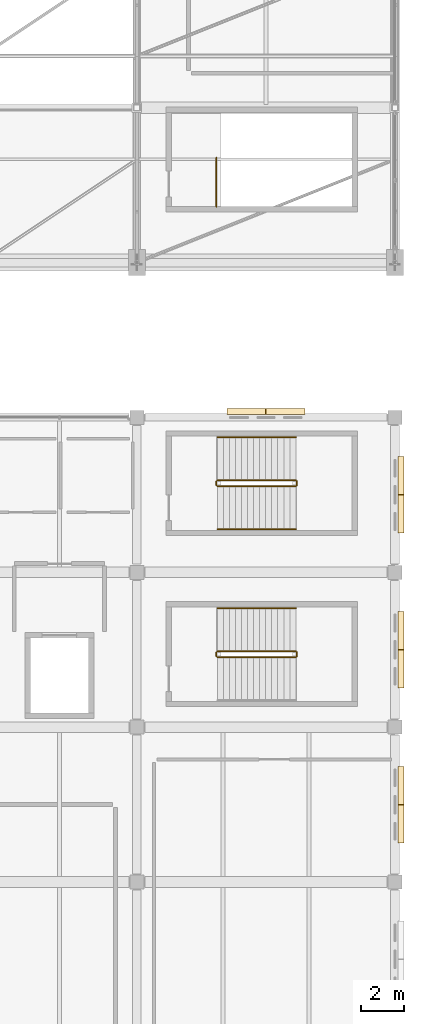
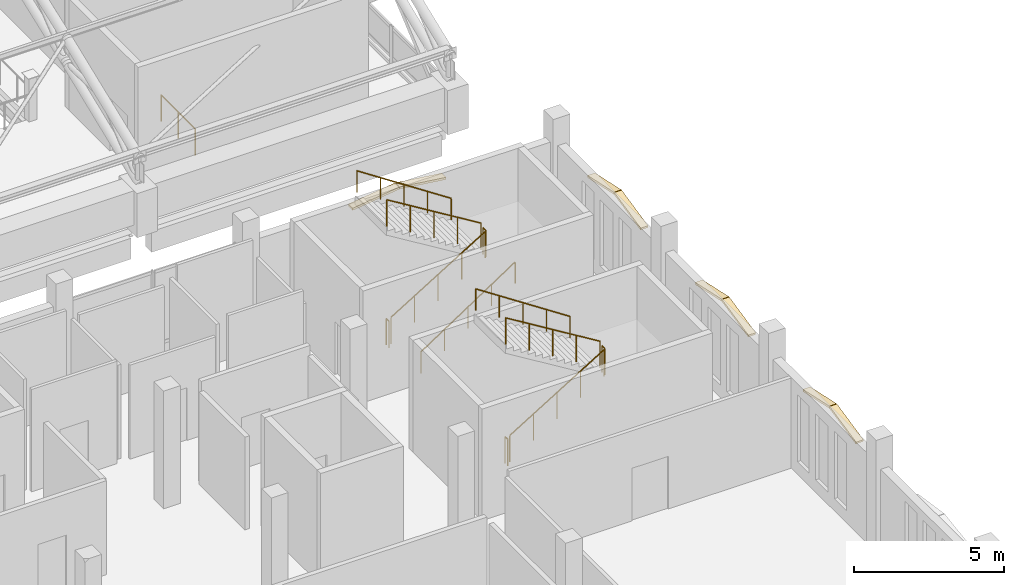
# One storey, part 114 of 116: 12 railings, 8 coverings.
"""IFC4 building model written with IfcOpenShell, lengths in metres."""

from ifc_helpers import new_model, si_unit, direction, frame, origin, origin_2d, place, context, subcontext, project, spatial, polyline, circle, outline, extrude, material, layer, layer_set, type_object, element, save


model = new_model("IFC4")

# Units and contexts
model_context = context("Model", 3, precision=1e-05, world=origin(), true_north=direction((0.0, 1.0)))
body_context = subcontext(model_context, "Body", "Model", "MODEL_VIEW")
ifc_project = project(units=[si_unit("LENGTHUNIT", "METRE"), si_unit("AREAUNIT", "SQUARE_METRE"), si_unit("VOLUMEUNIT", "CUBIC_METRE"), si_unit("PLANEANGLEUNIT", "RADIAN"), si_unit("MASSUNIT", "GRAM", prefix="KILO")], contexts=[model_context])

# Site, building, storey
site_placement = place(None, origin())
site = spatial("IfcSite", under=ifc_project, at=site_placement, CompositionType="ELEMENT")
building_placement = place(site_placement, origin())
building = spatial("IfcBuilding", under=site, at=building_placement, Name="Cendralis Lancet Convention Centre", CompositionType="ELEMENT")
storey_placement = place(building_placement, frame((0.0, 0.0, 15.0)))
storey = spatial("IfcBuildingStorey", under=building, at=storey_placement, Name="L03", CompositionType="ELEMENT", Elevation=15.0)

# Coverings
ifc_material_1 = material(Name="Warm buff sandstone chevron cassette", Category="masonry")
ifc_layer = layer(ifc_material_1, 0.06005859375, Name="Warm buff sandstone chevron cassette")
ifc_layer_set = layer_set([ifc_layer], Name="Warm buff sandstone chevron cassette")
covering_type = type_object("IfcCoveringType", Name="ARC-CV-CLAD1", PredefinedType="CLADDING", material=ifc_layer_set)
for number, where, z_axis, x_axis, name in (
    (1, (200.989990234375, 36.419921875, 3.52001953125), (-0.129379430985, 0.0, 0.991595160758), (0.0, -1.0, 0.0), "L03 Gothic Pointed Lancet Hood-Mould #0385L"),
    (2, (202.81005859375, 36.419921875, 3.7548828125), (0.129379430985, 0.0, 0.991595160758), (0.0, -1.0, 0.0), "L03 Gothic Pointed Lancet Hood-Mould #0386R"),
):
    element("IfcCovering", number, at=place(storey_placement, frame(where, z_axis=z_axis, x_axis=x_axis)), inside=storey, type_object=covering_type, Name=name, PredefinedType="CLADDING", context=body_context, shape_type="SweptSolid", body=[
        extrude(outline(polyline([(0.0, 0.0), (0.284912109375, 0.0), (0.284912109375, 1.815306184783631), (0.0, 1.815306184783631), (0.0, 0.0)])), origin(), (0.0, 0.0, -1.0), 0.090087890625),
    ])
for number, where, z_axis, x_axis, name in (
    (3, (209.219970703125, 19.780029296875, 3.27001953125), (0.0, 0.212547149042, 0.977150812021), (-1.0, 0.0, 0.0), "L03 Gothic Pointed Lancet Hood-Mould #0391L"),
    (4, (209.219970703125, 17.989990234375, 3.655029296875), (0.0, -0.212547149042, 0.977150812021), (-1.0, 0.0, 0.0), "L03 Gothic Pointed Lancet Hood-Mould #0392R"),
    (5, (209.219970703125, 26.97998046875, 3.27001953125), (0.0, 0.212547149042, 0.977150812021), (-1.0, 0.0, 0.0), "L03 Gothic Pointed Lancet Hood-Mould #0393L"),
    (6, (209.219970703125, 25.18994140625, 3.655029296875), (0.0, -0.212547149042, 0.977150812021), (-1.0, 0.0, 0.0), "L03 Gothic Pointed Lancet Hood-Mould #0394R"),
    (7, (209.219970703125, 34.179931640625, 3.27001953125), (0.0, 0.212547149042, 0.977150812021), (-1.0, 0.0, 0.0), "L03 Gothic Pointed Lancet Hood-Mould #0395L"),
):
    element("IfcCovering", number, at=place(storey_placement, frame(where, z_axis=z_axis, x_axis=x_axis)), inside=storey, type_object=covering_type, Name=name, PredefinedType="CLADDING", context=body_context, shape_type="SweptSolid", body=[
        extrude(outline(polyline([(0.0, 0.0), (0.284912109375, 0.0), (0.284912109375, 1.8114087502916307), (0.0, 1.8114087502916307), (0.0, 0.0)])), origin(), (0.0, 0.0, -1.0), 0.090087890625),
    ])
covering_placement = place(storey_placement, frame((209.219970703125, 32.389892578125, 3.655029296875), z_axis=(0.0, -0.212575145064, 0.977144721984), x_axis=(-1.0, 0.0, 0.0)))
element("IfcCovering", 8, at=covering_placement, inside=storey, type_object=covering_type, Name="L03 Gothic Pointed Lancet Hood-Mould #0396R", PredefinedType="CLADDING", context=body_context, shape_type="SweptSolid", body=[
    extrude(outline(polyline([(0.0, 0.0), (0.284912109375, 0.0), (0.284912109375, 1.811170188825028), (0.0, 1.811170188825028), (0.0, 0.0)])), origin(), (0.0, 0.0, -1.0), 0.090087890625),
])

# Railings
ifc_material_2 = material(Name="Steel S355", Category="steel")
railing_type_1 = type_object("IfcRailingType", Name="ARC-RL-CGD", PredefinedType="GUARDRAIL", material=ifc_material_2)
railing_1_placement = place(storey_placement, frame((200.5, 45.800048828125, 0.0)))
element("IfcRailing", 9, at=railing_1_placement, inside=storey, type_object=railing_type_1, Name="L03 ST-09 top well guard 1", PredefinedType="GUARDRAIL", context=body_context, shape_type="SweptSolid", body=[
    extrude(circle(Radius=0.02392578125, at=origin_2d()), frame((0.0, 0.0, 1.076171875), z_axis=(0.0, 1.0, 0.0), x_axis=(-1.0, 0.0, 0.0)), (0.0, 0.0, 1.0), 2.280029296875),
    extrude(circle(Radius=0.02099609375, at=origin_2d()), origin(), (0.0, 0.0, 1.0), 1.052001953125),
    extrude(circle(Radius=0.02099609375, at=origin_2d()), frame((0.0, 1.14013671875, 0.0)), (0.0, 0.0, 1.0), 1.052001953125),
    extrude(circle(Radius=0.02099609375, at=origin_2d()), frame((0.0, 2.280029296875, 0.0)), (0.0, 0.0, 1.0), 1.052001953125),
])
railing_2_placement = place(storey_placement, frame((200.550048828125, 24.85009765625, 0.17138671875)))
element("IfcRailing", 10, at=railing_2_placement, inside=storey, type_object=railing_type_1, Name="L03 ST-15 stair guard 1", PredefinedType="GUARDRAIL", context=body_context, shape_type="SweptSolid", body=[
    extrude(circle(Radius=0.02392578125, at=origin_2d()), frame((0.0, 0.0, 1.076171875), z_axis=(0.852850264322, 0.0, 0.5221555579), x_axis=(0.0, 1.0, 0.0)), (0.0, 0.0, 1.0), 4.267822265625),
    extrude(circle(Radius=0.02099609375, at=origin_2d()), origin(), (0.0, 0.0, 1.0), 1.052001953125),
    extrude(circle(Radius=0.02099609375, at=origin_2d()), frame((0.909912109375, 0.0, 0.55712890625)), (0.0, 0.0, 1.0), 1.052001953125),
    extrude(circle(Radius=0.02099609375, at=origin_2d()), frame((1.81982421875, 0.0, 1.1142578125)), (0.0, 0.0, 1.0), 1.052001953125),
    extrude(circle(Radius=0.02099609375, at=origin_2d()), frame((2.72998046875, 0.0, 1.67138671875)), (0.0, 0.0, 1.0), 1.052001953125),
    extrude(circle(Radius=0.02099609375, at=origin_2d()), frame((3.639892578125, 0.0, 2.228515625)), (0.0, 0.0, 1.0), 1.052001953125),
])
railing_3_placement = place(storey_placement, frame((204.239990234375, 24.89990234375, 2.39990234375)))
element("IfcRailing", 11, at=railing_3_placement, inside=storey, type_object=railing_type_1, Name="L03 ST-15 stair guard 2", PredefinedType="GUARDRAIL", context=body_context, shape_type="SweptSolid", body=[
    extrude(circle(Radius=0.02392578125, at=origin_2d()), frame((0.0, 0.0, 1.076171875), z_axis=(0.0, 1.0, 0.0), x_axis=(-1.0, 0.0, 0.0)), (0.0, 0.0, 1.0), 0.18017578125),
    extrude(circle(Radius=0.02099609375, at=origin_2d()), origin(), (0.0, 0.0, 1.0), 1.052001953125),
    extrude(circle(Radius=0.02099609375, at=origin_2d()), frame((0.0, 0.18017578125, 0.0)), (0.0, 0.0, 1.0), 1.052001953125),
])
railing_4_placement = place(storey_placement, frame((204.18994140625, 25.1298828125, 2.571533203125)))
element("IfcRailing", 12, at=railing_4_placement, inside=storey, type_object=railing_type_1, Name="L03 ST-15 stair guard 3", PredefinedType="GUARDRAIL", context=body_context, shape_type="SweptSolid", body=[
    extrude(circle(Radius=0.02392578125, at=origin_2d()), frame((0.0, 0.0, 1.076171875), z_axis=(-0.852850264322, 0.0, 0.5221555579), x_axis=(0.0, -1.0, 0.0)), (0.0, 0.0, 1.0), 4.267822265625),
    extrude(circle(Radius=0.02099609375, at=origin_2d()), origin(), (0.0, 0.0, 1.0), 1.052001953125),
    extrude(circle(Radius=0.02099609375, at=origin_2d()), frame((-0.909912109375, 0.0, 0.55712890625)), (0.0, 0.0, 1.0), 1.052001953125),
    extrude(circle(Radius=0.02099609375, at=origin_2d()), frame((-1.81982421875, 0.0, 1.1142578125)), (0.0, 0.0, 1.0), 1.052001953125),
    extrude(circle(Radius=0.02099609375, at=origin_2d()), frame((-2.72998046875, 0.0, 1.67138671875)), (0.0, 0.0, 1.0), 1.052001953125),
    extrude(circle(Radius=0.02099609375, at=origin_2d()), frame((-3.639892578125, 0.0, 2.228515625)), (0.0, 0.0, 1.0), 1.052001953125),
])
railing_5_placement = place(storey_placement, frame((200.5, 24.89990234375, 0.0)))
element("IfcRailing", 13, at=railing_5_placement, inside=storey, type_object=railing_type_1, Name="L03 ST-15 stair guard 4", PredefinedType="GUARDRAIL", context=body_context, shape_type="SweptSolid", body=[
    extrude(circle(Radius=0.02392578125, at=origin_2d()), frame((0.0, 0.0, 1.076171875), z_axis=(0.0, 1.0, 0.0), x_axis=(-1.0, 0.0, 0.0)), (0.0, 0.0, 1.0), 0.18017578125),
    extrude(circle(Radius=0.02099609375, at=origin_2d()), origin(), (0.0, 0.0, 1.0), 1.052001953125),
    extrude(circle(Radius=0.02099609375, at=origin_2d()), frame((0.0, 0.18017578125, 0.0)), (0.0, 0.0, 1.0), 1.052001953125),
])
railing_6_placement = place(storey_placement, frame((200.550048828125, 32.800048828125, 0.17138671875)))
element("IfcRailing", 14, at=railing_6_placement, inside=storey, type_object=railing_type_1, Name="L03 ST-16 stair guard 1", PredefinedType="GUARDRAIL", context=body_context, shape_type="SweptSolid", body=[
    extrude(circle(Radius=0.02392578125, at=origin_2d()), frame((0.0, 0.0, 1.076171875), z_axis=(0.852850264322, 0.0, 0.5221555579), x_axis=(0.0, 1.0, 0.0)), (0.0, 0.0, 1.0), 4.267822265625),
    extrude(circle(Radius=0.02099609375, at=origin_2d()), origin(), (0.0, 0.0, 1.0), 1.052001953125),
    extrude(circle(Radius=0.02099609375, at=origin_2d()), frame((0.909912109375, 0.0, 0.55712890625)), (0.0, 0.0, 1.0), 1.052001953125),
    extrude(circle(Radius=0.02099609375, at=origin_2d()), frame((1.81982421875, 0.0, 1.1142578125)), (0.0, 0.0, 1.0), 1.052001953125),
    extrude(circle(Radius=0.02099609375, at=origin_2d()), frame((2.72998046875, 0.0, 1.67138671875)), (0.0, 0.0, 1.0), 1.052001953125),
    extrude(circle(Radius=0.02099609375, at=origin_2d()), frame((3.639892578125, 0.0, 2.228515625)), (0.0, 0.0, 1.0), 1.052001953125),
])
railing_7_placement = place(storey_placement, frame((204.239990234375, 32.85009765625, 2.39990234375)))
element("IfcRailing", 15, at=railing_7_placement, inside=storey, type_object=railing_type_1, Name="L03 ST-16 stair guard 2", PredefinedType="GUARDRAIL", context=body_context, shape_type="SweptSolid", body=[
    extrude(circle(Radius=0.02392578125, at=origin_2d()), frame((0.0, 0.0, 1.076171875), z_axis=(0.0, 1.0, 0.0), x_axis=(-1.0, 0.0, 0.0)), (0.0, 0.0, 1.0), 0.179931640625),
    extrude(circle(Radius=0.02099609375, at=origin_2d()), origin(), (0.0, 0.0, 1.0), 1.052001953125),
    extrude(circle(Radius=0.02099609375, at=origin_2d()), frame((0.0, 0.179931640625, 0.0)), (0.0, 0.0, 1.0), 1.052001953125),
])
railing_8_placement = place(storey_placement, frame((204.18994140625, 33.080078125, 2.571533203125)))
element("IfcRailing", 16, at=railing_8_placement, inside=storey, type_object=railing_type_1, Name="L03 ST-16 stair guard 3", PredefinedType="GUARDRAIL", context=body_context, shape_type="SweptSolid", body=[
    extrude(circle(Radius=0.02392578125, at=origin_2d()), frame((0.0, 0.0, 1.076171875), z_axis=(-0.852850264322, 0.0, 0.5221555579), x_axis=(0.0, -1.0, 0.0)), (0.0, 0.0, 1.0), 4.267822265625),
    extrude(circle(Radius=0.02099609375, at=origin_2d()), origin(), (0.0, 0.0, 1.0), 1.052001953125),
    extrude(circle(Radius=0.02099609375, at=origin_2d()), frame((-0.909912109375, 0.0, 0.55712890625)), (0.0, 0.0, 1.0), 1.052001953125),
    extrude(circle(Radius=0.02099609375, at=origin_2d()), frame((-1.81982421875, 0.0, 1.1142578125)), (0.0, 0.0, 1.0), 1.052001953125),
    extrude(circle(Radius=0.02099609375, at=origin_2d()), frame((-2.72998046875, 0.0, 1.67138671875)), (0.0, 0.0, 1.0), 1.052001953125),
    extrude(circle(Radius=0.02099609375, at=origin_2d()), frame((-3.639892578125, 0.0, 2.228515625)), (0.0, 0.0, 1.0), 1.052001953125),
])
railing_9_placement = place(storey_placement, frame((200.5, 32.85009765625, 0.0)))
element("IfcRailing", 17, at=railing_9_placement, inside=storey, type_object=railing_type_1, Name="L03 ST-16 stair guard 4", PredefinedType="GUARDRAIL", context=body_context, shape_type="SweptSolid", body=[
    extrude(circle(Radius=0.02392578125, at=origin_2d()), frame((0.0, 0.0, 1.076171875), z_axis=(0.0, 1.0, 0.0), x_axis=(-1.0, 0.0, 0.0)), (0.0, 0.0, 1.0), 0.179931640625),
    extrude(circle(Radius=0.02099609375, at=origin_2d()), origin(), (0.0, 0.0, 1.0), 1.052001953125),
    extrude(circle(Radius=0.02099609375, at=origin_2d()), frame((0.0, 0.179931640625, 0.0)), (0.0, 0.0, 1.0), 1.052001953125),
])
railing_type_2 = type_object("IfcRailingType", Name="ARC-RL-CHR", PredefinedType="HANDRAIL", material=ifc_material_2)
railing_10_placement = place(storey_placement, frame((204.18994140625, 27.1298828125, 2.571533203125)))
element("IfcRailing", 18, at=railing_10_placement, inside=storey, type_object=railing_type_2, Name="L03 ST-15 stair handrail 2", PredefinedType="HANDRAIL", context=body_context, shape_type="SweptSolid", body=[
    extrude(circle(Radius=0.02392578125, at=origin_2d()), frame((0.0, 0.0, 0.8759765625), z_axis=(-0.834865213223, 0.0, 0.550454426587), x_axis=(0.0, -1.0, 0.0)), (0.0, 0.0, 1.0), 4.35986328125),
    extrude(circle(Radius=0.02099609375, at=origin_2d()), origin(), (0.0, 0.0, 1.0), 0.851806640625),
    extrude(circle(Radius=0.02099609375, at=origin_2d()), frame((-0.909912109375, 0.0, 0.60009765625)), (0.0, 0.0, 1.0), 0.851806640625),
    extrude(circle(Radius=0.02099609375, at=origin_2d()), frame((-1.81982421875, 0.0, 1.199951171875)), (0.0, 0.0, 1.0), 0.851806640625),
    extrude(circle(Radius=0.02099609375, at=origin_2d()), frame((-2.72998046875, 0.0, 1.7998046875)), (0.0, 0.0, 1.0), 0.851806640625),
    extrude(circle(Radius=0.02099609375, at=origin_2d()), frame((-3.639892578125, 0.0, 2.39990234375)), (0.0, 0.0, 1.0), 0.851806640625),
])
railing_11_placement = place(storey_placement, frame((200.550048828125, 30.800048828125, 0.17138671875)))
element("IfcRailing", 19, at=railing_11_placement, inside=storey, type_object=railing_type_2, Name="L03 ST-16 stair handrail 1", PredefinedType="HANDRAIL", context=body_context, shape_type="SweptSolid", body=[
    extrude(circle(Radius=0.02392578125, at=origin_2d()), frame((0.0, 0.0, 0.8759765625), z_axis=(0.834839479206, 0.0, 0.550493454965), x_axis=(0.0, 1.0, 0.0)), (0.0, 0.0, 1.0), 4.360107421875),
    extrude(circle(Radius=0.02099609375, at=origin_2d()), origin(), (0.0, 0.0, 1.0), 0.851806640625),
    extrude(circle(Radius=0.02099609375, at=origin_2d()), frame((0.909912109375, 0.0, 0.60009765625)), (0.0, 0.0, 1.0), 0.851806640625),
    extrude(circle(Radius=0.02099609375, at=origin_2d()), frame((1.81982421875, 0.0, 1.2001953125)), (0.0, 0.0, 1.0), 0.851806640625),
    extrude(circle(Radius=0.02099609375, at=origin_2d()), frame((2.72998046875, 0.0, 1.800048828125)), (0.0, 0.0, 1.0), 0.851806640625),
    extrude(circle(Radius=0.02099609375, at=origin_2d()), frame((3.639892578125, 0.0, 2.400146484375)), (0.0, 0.0, 1.0), 0.851806640625),
])
railing_12_placement = place(storey_placement, frame((204.18994140625, 35.080078125, 2.571533203125)))
element("IfcRailing", 20, at=railing_12_placement, inside=storey, type_object=railing_type_2, Name="L03 ST-16 stair handrail 2", PredefinedType="HANDRAIL", context=body_context, shape_type="SweptSolid", body=[
    extrude(circle(Radius=0.02392578125, at=origin_2d()), frame((0.0, 0.0, 0.8759765625), z_axis=(-0.834865213223, 0.0, 0.550454426587), x_axis=(0.0, -1.0, 0.0)), (0.0, 0.0, 1.0), 4.35986328125),
    extrude(circle(Radius=0.02099609375, at=origin_2d()), origin(), (0.0, 0.0, 1.0), 0.851806640625),
    extrude(circle(Radius=0.02099609375, at=origin_2d()), frame((-0.909912109375, 0.0, 0.60009765625)), (0.0, 0.0, 1.0), 0.851806640625),
    extrude(circle(Radius=0.02099609375, at=origin_2d()), frame((-1.81982421875, 0.0, 1.199951171875)), (0.0, 0.0, 1.0), 0.851806640625),
    extrude(circle(Radius=0.02099609375, at=origin_2d()), frame((-2.72998046875, 0.0, 1.7998046875)), (0.0, 0.0, 1.0), 0.851806640625),
    extrude(circle(Radius=0.02099609375, at=origin_2d()), frame((-3.639892578125, 0.0, 2.39990234375)), (0.0, 0.0, 1.0), 0.851806640625),
])

save(model, "model.ifc")
